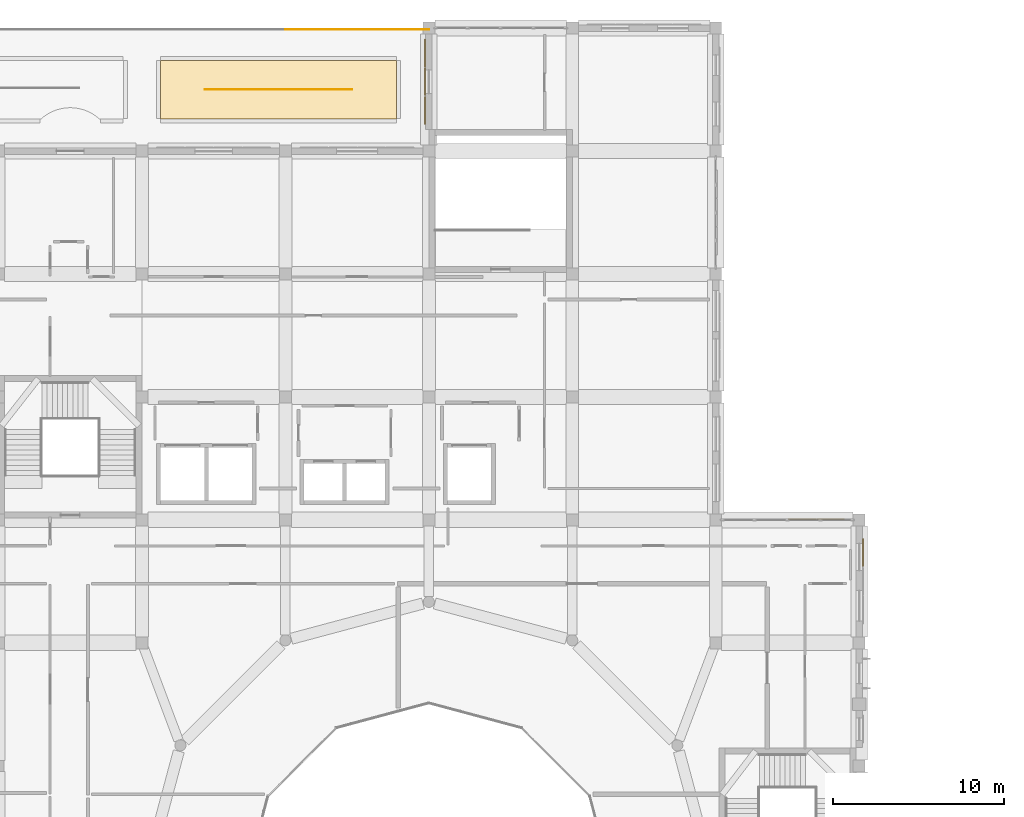
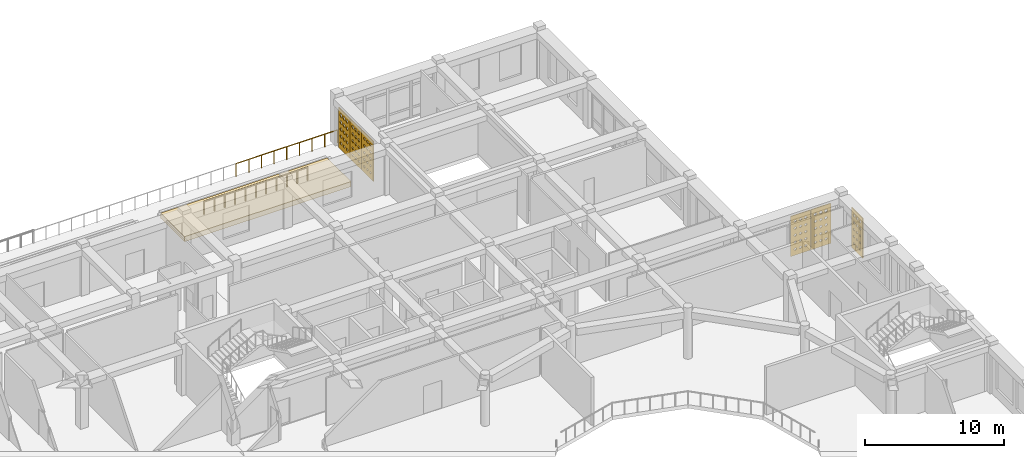
# One storey, part 76 of 79: 7 coverings, 2 railings.
"""IFC4 building model written with IfcOpenShell, lengths in metres."""

import ifcopenshell
import ifcopenshell.guid

model = None  # the IFC model being written
_history = None  # IfcOwnerHistory: only IFC2X3 demands one
_inside = {}  # id of a spatial element -> (the spatial element, [elements in it])
_under = {}  # id of a project, library or spatial element -> (it, [spatial elements below it])
_declared = {}  # id of a project -> (the project, [libraries it declares])
_typed = {}  # id of a type object -> (the type object, [elements of that type])
_made_of = {}  # id of a material, layer set ... -> (it, [elements and type objects made of it])


def new_model(schema):
    """Start an empty IFC model of exactly this schema.

    Asked for "IFC4X3", IfcOpenShell would pick the latest addendum, in which some entities
    have other attributes; the version numbers below select the first issue.
    IFC2X3 requires an IfcOwnerHistory on every rooted entity: one is made here for all.
    """
    global model, _history
    if schema == "IFC4X3":
        model = ifcopenshell.file(schema_version=(4, 3, 0, 0))
    else:
        model = ifcopenshell.file(schema=schema)
    _inside.clear()
    _under.clear()
    _declared.clear()
    _typed.clear()
    _made_of.clear()
    _history = None
    if model.schema == "IFC2X3":
        org = make("IfcOrganization", Name="unknown")
        user = make(
            "IfcPersonAndOrganization",
            ThePerson=make("IfcPerson", FamilyName="unknown"),
            TheOrganization=org,
        )
        app = make(
            "IfcApplication",
            ApplicationDeveloper=org,
            Version="unknown",
            ApplicationFullName="unknown",
            ApplicationIdentifier="unknown",
        )
        _history = make(
            "IfcOwnerHistory",
            OwningUser=user,
            OwningApplication=app,
            ChangeAction="ADDED",
            CreationDate=0,
        )
    return model


def make(cls, **values):
    """One entity of the class cls with the attributes given. An attribute that is None is left unset."""
    return model.create_entity(
        cls, **{name: value for name, value in values.items() if value is not None}
    )


def rooted(cls, **values):
    """An entity with a GlobalId (a new one), such as an element, a storey or a relation."""
    return make(cls, GlobalId=ifcopenshell.guid.new(), OwnerHistory=_history, **values)


def si_unit(unit_type, name, prefix=None):
    """IfcSIUnit, for example si_unit("LENGTHUNIT", "METRE", prefix="MILLI")."""
    return make("IfcSIUnit", UnitType=unit_type, Prefix=prefix, Name=name)


def derived_unit(unit_type, elements):
    """IfcDerivedUnit: a product of units, each with its exponent."""
    return make(
        "IfcDerivedUnit",
        Elements=[
            make("IfcDerivedUnitElement", Unit=unit, Exponent=power)
            for unit, power in elements
        ],
        UnitType=unit_type,
    )


def assignment(units):
    """IfcUnitAssignment: the units of a project."""
    return None if units is None else make("IfcUnitAssignment", Units=units)


def point(xyz):
    """IfcCartesianPoint."""
    return None if xyz is None else make("IfcCartesianPoint", Coordinates=xyz)


def direction(xyz):
    """IfcDirection."""
    return None if xyz is None else make("IfcDirection", DirectionRatios=xyz)


def frame(location, z_axis=None, x_axis=None):
    """IfcAxis2Placement3D, a coordinate frame: its origin and axes. An axis left out is left unset."""
    return make(
        "IfcAxis2Placement3D",
        Location=point(location),
        Axis=direction(z_axis),
        RefDirection=direction(x_axis),
    )


def frame_2d(location, x_axis=None):
    """IfcAxis2Placement2D, a coordinate frame in the plane: its origin and x axis."""
    return make(
        "IfcAxis2Placement2D", Location=point(location), RefDirection=direction(x_axis)
    )


def origin():
    """The frame at (0, 0, 0) with its axes left unset."""
    return frame((0.0, 0.0, 0.0))


def origin_2d():
    """The frame at (0, 0) in the plane with its x axis left unset."""
    return frame_2d((0.0, 0.0))


def place(relative_to, where):
    """IfcLocalPlacement: puts the frame where relative to a parent placement (None: the world)."""
    return make(
        "IfcLocalPlacement", PlacementRelTo=relative_to, RelativePlacement=where
    )


def context(
    kind, dimensions, precision=None, world=None, true_north=None, identifier=None
):
    """IfcGeometricRepresentationContext, for example the 3D "Model" context."""
    return make(
        "IfcGeometricRepresentationContext",
        ContextIdentifier=identifier,
        ContextType=kind,
        CoordinateSpaceDimension=dimensions,
        Precision=precision,
        WorldCoordinateSystem=world,
        TrueNorth=true_north,
    )


def subcontext(parent, identifier, kind, view, scale=None):
    """IfcGeometricRepresentationSubContext, for example "Body" below "Model"."""
    return make(
        "IfcGeometricRepresentationSubContext",
        ContextIdentifier=identifier,
        ContextType=kind,
        ParentContext=parent,
        TargetScale=scale,
        TargetView=view,
    )


def project(units=None, contexts=None):
    """IfcProject with its units and contexts."""
    return rooted(
        "IfcProject",
        Name="project",
        RepresentationContexts=contexts,
        UnitsInContext=assignment(units),
    )


def spatial(cls, under=None, at=None, **own):
    """A site, building, storey or space (cls), placed at a placement, below another one or the project."""
    s = rooted(cls, ObjectPlacement=at, **own)
    if under is not None:
        _under.setdefault(under.id(), (under, []))[1].append(s)
    return s


def polyline(points):
    """IfcPolyline through the points."""
    return make("IfcPolyline", Points=[point(p) for p in points])


def profile(cls, at=None, kind="AREA", **sizes):
    """A parametric profile (cls). Its sizes go by their IFC names, for example OverallWidth=200.0."""
    return make(cls, ProfileType=kind, Position=at, **sizes)


def circle(**sizes):
    """IfcCircleProfileDef."""
    return profile("IfcCircleProfileDef", **sizes)


def outline(outer, holes=None, kind="AREA"):
    """IfcArbitraryClosedProfileDef: a profile drawn as a closed curve; with holes, ...WithVoids."""
    if holes is None:
        return make("IfcArbitraryClosedProfileDef", ProfileType=kind, OuterCurve=outer)
    return make(
        "IfcArbitraryProfileDefWithVoids",
        ProfileType=kind,
        OuterCurve=outer,
        InnerCurves=holes,
    )


def extrude(swept, where, along, depth):
    """IfcExtrudedAreaSolid: the profile swept, set in the frame where, extruded along a direction by depth."""
    return make(
        "IfcExtrudedAreaSolid",
        SweptArea=swept,
        Position=where,
        ExtrudedDirection=direction(along),
        Depth=depth,
    )


def shape(context_of_items, identifier, shape_type, items):
    """IfcShapeRepresentation: the items that make up one representation, for example the "Body"."""
    return make(
        "IfcShapeRepresentation",
        ContextOfItems=context_of_items,
        RepresentationIdentifier=identifier,
        RepresentationType=shape_type,
        Items=items,
    )


def material(Name=None, Category=None):
    """IfcMaterial."""
    return make("IfcMaterial", Name=Name, Category=Category)


def layer(
    of_material, thickness, ventilated=None, Name=None, Category=None, Priority=None
):
    """IfcMaterialLayer: one layer of a wall or slab, of a material (None: an air gap)."""
    return make(
        "IfcMaterialLayer",
        Material=of_material,
        LayerThickness=thickness,
        IsVentilated=ventilated,
        Name=Name,
        Category=Category,
        Priority=Priority,
    )


def layer_set(layers, Name=None):
    """IfcMaterialLayerSet."""
    return make("IfcMaterialLayerSet", MaterialLayers=layers, LayerSetName=Name)


def made_of(thing, what):
    """Note that an element or type object is made of a material, layer set ...; save() writes the relation."""
    if what is not None:
        _made_of.setdefault(what.id(), (what, []))[1].append(thing)
    return thing


def type_object(cls, material=None, **own):
    """A type object (cls), such as IfcWallType, which elements share."""
    return made_of(rooted(cls, **own), material)


def element(
    cls,
    number,
    at=None,
    inside=None,
    cuts=None,
    type_object=None,
    material=None,
    context=None,
    identifier="Body",
    shape_type=None,
    held_by="IfcProductDefinitionShape",
    body=None,
    shapes=None,
    **own,
):
    """One element of the class cls, such as IfcWall. Its Tag is "e" and its number.

    at: its placement. inside: the storey or other place that contains it. cuts: it is an
    opening in that element (IfcRelVoidsElement). A single representation is given by context,
    identifier, shape_type and body (its items); several are given by shapes. held_by: the class
    of the entity that holds the representations. save() writes the other relations.
    """
    e = rooted(cls, Tag="e%d" % number, ObjectPlacement=at, **own)
    if body is not None:
        shapes = [shape(context, identifier, shape_type, body)]
    if shapes is not None:
        e.Representation = make(held_by, Representations=shapes)
    if inside is not None:
        _inside.setdefault(inside.id(), (inside, []))[1].append(e)
    if cuts is not None:
        rooted(
            "IfcRelVoidsElement", RelatingBuildingElement=cuts, RelatedOpeningElement=e
        )
    if type_object is not None:
        _typed.setdefault(type_object.id(), (type_object, []))[1].append(e)
    return made_of(e, material)


def aggregate(whole, parts):
    """IfcRelAggregates: a whole, such as a stair, and the parts it consists of."""
    return rooted("IfcRelAggregates", RelatingObject=whole, RelatedObjects=parts)


def save(model, path):
    """Write the relations noted so far, then the file.

    IfcRelAggregates (storeys below a building ...), IfcRelContainedInSpatialStructure (elements
    in a storey), IfcRelDefinesByType, IfcRelAssociatesMaterial and IfcRelDeclares: one each for
    every whole, place, type object, material and project.
    """
    for whole, parts in _under.values():
        aggregate(whole, parts)
    for where, things in _inside.values():
        rooted(
            "IfcRelContainedInSpatialStructure",
            RelatedElements=things,
            RelatingStructure=where,
        )
    for kind, things in _typed.values():
        rooted("IfcRelDefinesByType", RelatedObjects=things, RelatingType=kind)
    for what, things in _made_of.values():
        rooted("IfcRelAssociatesMaterial", RelatedObjects=things, RelatingMaterial=what)
    for by, libraries in _declared.values():
        rooted("IfcRelDeclares", RelatingContext=by, RelatedDefinitions=libraries)
    model.write(path)


model = new_model("IFC4")

# Units and contexts
model_context = context("Model", 3, precision=1e-05, world=origin(), true_north=direction((0.0, 1.0)))
body_context = subcontext(model_context, "Body", "Model", "MODEL_VIEW")
ifc_project = project(units=[si_unit("LENGTHUNIT", "METRE"), si_unit("AREAUNIT", "SQUARE_METRE"), si_unit("VOLUMEUNIT", "CUBIC_METRE"), si_unit("PLANEANGLEUNIT", "RADIAN"), si_unit("MASSUNIT", "GRAM", prefix="KILO"), derived_unit("THERMALTRANSMITTANCEUNIT", [(si_unit("POWERUNIT", "WATT"), 1), (si_unit("LENGTHUNIT", "METRE"), -2), (si_unit("THERMODYNAMICTEMPERATUREUNIT", "KELVIN"), -1)])], contexts=[model_context])

# Site, building, storey
site_placement = place(None, origin())
site = spatial("IfcSite", under=ifc_project, at=site_placement, CompositionType="ELEMENT")
building_placement = place(site_placement, origin())
building = spatial("IfcBuilding", under=site, at=building_placement, Name="Veybourne Emporium", CompositionType="ELEMENT")
storey_placement = place(building_placement, frame((0.0, 0.0, 18.89990234375)))
storey = spatial("IfcBuildingStorey", under=building, at=storey_placement, Name="L04", CompositionType="ELEMENT", Elevation=18.89990234375)

# Railings
ifc_material_1 = material(Name="Patinated Architectural Bronze", Category="bronze")
railing_type = type_object("IfcRailingType", Name="Guard_GR-02", PredefinedType="GUARDRAIL", material=ifc_material_1)
railing_1_placement = place(storey_placement, frame((67.199951171875, 100.719970703125, 0.0)))
element("IfcRailing", 1, at=railing_1_placement, inside=storey, type_object=railing_type, Name="L04 terrace perimeter guardrail 005", PredefinedType="GUARDRAIL", context=body_context, shape_type="SweptSolid", body=[
    extrude(circle(Radius=0.02392578125, at=origin_2d()), frame((0.0, 0.0, 1.1259765625), z_axis=(1.0, 0.0, 0.0), x_axis=(0.0, 1.0, 0.0)), (0.0, 0.0, 1.0), 8.400146484375),
    extrude(circle(Radius=0.02099609375, at=origin_2d()), origin(), (0.0, 0.0, 1.0), 1.101806640625),
    extrude(circle(Radius=0.02099609375, at=origin_2d()), frame((1.050048828125, 0.0, 0.0)), (0.0, 0.0, 1.0), 1.101806640625),
    extrude(circle(Radius=0.02099609375, at=origin_2d()), frame((2.10009765625, 0.0, 0.0)), (0.0, 0.0, 1.0), 1.101806640625),
    extrude(circle(Radius=0.02099609375, at=origin_2d()), frame((3.150146484375, 0.0, 0.0)), (0.0, 0.0, 1.0), 1.101806640625),
    extrude(circle(Radius=0.02099609375, at=origin_2d()), frame((4.2001953125, 0.0, 0.0)), (0.0, 0.0, 1.0), 1.101806640625),
    extrude(circle(Radius=0.02099609375, at=origin_2d()), frame((5.25, 0.0, 0.0)), (0.0, 0.0, 1.0), 1.101806640625),
    extrude(circle(Radius=0.02099609375, at=origin_2d()), frame((6.300048828125, 0.0, 0.0)), (0.0, 0.0, 1.0), 1.101806640625),
    extrude(circle(Radius=0.02099609375, at=origin_2d()), frame((7.35009765625, 0.0, 0.0)), (0.0, 0.0, 1.0), 1.101806640625),
    extrude(circle(Radius=0.02099609375, at=origin_2d()), frame((8.400146484375, 0.0, 0.0)), (0.0, 0.0, 1.0), 1.101806640625),
])
railing_2_placement = place(storey_placement, frame((62.510009765625, 97.199951171875, 0.440185546875)))
element("IfcRailing", 2, at=railing_2_placement, inside=storey, type_object=railing_type, Name="L04 bronze roof-garden trellis balustrade 1.1", PredefinedType="GUARDRAIL", context=body_context, shape_type="SweptSolid", body=[
    extrude(circle(Radius=0.02392578125, at=origin_2d()), frame((0.0, 0.0, 1.1259765625), z_axis=(1.0, 0.0, 0.0), x_axis=(0.0, 1.0, 0.0)), (0.0, 0.0, 1.0), 8.580078125),
    extrude(circle(Radius=0.02099609375, at=origin_2d()), origin(), (0.0, 0.0, 1.0), 1.101806640625),
    extrude(circle(Radius=0.02099609375, at=origin_2d()), frame((0.85791015625, 0.0, 0.0)), (0.0, 0.0, 1.0), 1.101806640625),
    extrude(circle(Radius=0.02099609375, at=origin_2d()), frame((1.716064453125, 0.0, 0.0)), (0.0, 0.0, 1.0), 1.101806640625),
    extrude(circle(Radius=0.02099609375, at=origin_2d()), frame((2.573974609375, 0.0, 0.0)), (0.0, 0.0, 1.0), 1.101806640625),
    extrude(circle(Radius=0.02099609375, at=origin_2d()), frame((3.43212890625, 0.0, 0.0)), (0.0, 0.0, 1.0), 1.101806640625),
    extrude(circle(Radius=0.02099609375, at=origin_2d()), frame((4.2900390625, 0.0, 0.0)), (0.0, 0.0, 1.0), 1.101806640625),
    extrude(circle(Radius=0.02099609375, at=origin_2d()), frame((5.14794921875, 0.0, 0.0)), (0.0, 0.0, 1.0), 1.101806640625),
    extrude(circle(Radius=0.02099609375, at=origin_2d()), frame((6.006103515625, 0.0, 0.0)), (0.0, 0.0, 1.0), 1.101806640625),
    extrude(circle(Radius=0.02099609375, at=origin_2d()), frame((6.864013671875, 0.0, 0.0)), (0.0, 0.0, 1.0), 1.101806640625),
    extrude(circle(Radius=0.02099609375, at=origin_2d()), frame((7.72216796875, 0.0, 0.0)), (0.0, 0.0, 1.0), 1.101806640625),
    extrude(circle(Radius=0.02099609375, at=origin_2d()), frame((8.580078125, 0.0, 0.0)), (0.0, 0.0, 1.0), 1.101806640625),
])

# Coverings
ifc_material_2 = material(Name="Intensive Green Roof Build-up", Category="membrane")
ifc_layer_1 = layer(ifc_material_2, 0.43994140625)
ifc_layer_set_1 = layer_set([ifc_layer_1], Name="Intensive Green Roof Build-up")
covering_type_1 = type_object("IfcCoveringType", Name="Roofing_RFG-02", PredefinedType="ROOFING", material=ifc_layer_set_1)
covering_1_placement = place(storey_placement, origin())
element("IfcCovering", 3, at=covering_1_placement, inside=storey, type_object=covering_type_1, Name="L04 intensive planted garden bed 1.1", PredefinedType="ROOFING", context=body_context, shape_type="SweptSolid", body=[
    extrude(outline(polyline([(73.7099609375, 95.489990234375), (59.889892578125, 95.489990234375), (59.889892578125, 98.909912109375), (73.7099609375, 98.909912109375), (73.7099609375, 95.489990234375)])), origin(), (0.0, 0.0, 1.0), 0.440185546875),
])
ifc_material_3 = material(Name="Warm-White Perforated Aluminium Screen Alloy", Category="aluminium")
ifc_layer_2 = layer(ifc_material_3, 0.06005859375)
ifc_layer_set_2 = layer_set([ifc_layer_2], Name="Warm-White Perforated Aluminium Screen Alloy")
covering_type_2 = type_object("IfcCoveringType", Name="WaveScreen_SCR-02", PredefinedType="CLADDING", material=ifc_layer_set_2)
covering_2_placement = place(storey_placement, frame((75.35205078125, 95.97998046875, 1.815185546875), z_axis=(1.0, 0.0, 0.0), x_axis=(0.0, 1.0, 0.0)))
element("IfcCovering", 4, at=covering_2_placement, inside=storey, type_object=covering_type_2, Name="L04 wave-perforated aluminium screen SCR-02 (40T.1)", PredefinedType="CLADDING", context=body_context, shape_type="SweptSolid", body=[
    extrude(outline(polyline([(-0.81982421875, -1.7548828125), (0.81982421875, -1.7548828125), (0.81982421875, 1.7548828125), (-0.81982421875, 1.7548828125), (-0.81982421875, -1.7548828125)]), holes=[polyline([(-0.433349609375, -1.11767578125), (-0.3330078125, -1.188232421875), (-0.3330078125, -1.267578125), (-0.433349609375, -1.33837890625), (-0.53369140625, -1.267578125), (-0.53369140625, -1.188232421875), (-0.433349609375, -1.11767578125)]), polyline([(-0.433349609375, -0.501220703125), (-0.330810546875, -0.5732421875), (-0.330810546875, -0.65478515625), (-0.433349609375, -0.726806640625), (-0.53564453125, -0.65478515625), (-0.53564453125, -0.5732421875), (-0.433349609375, -0.501220703125)]), polyline([(-0.433349609375, 0.117919921875), (-0.326904296875, 0.04248046875), (-0.326904296875, -0.04248046875), (-0.433349609375, -0.117919921875), (-0.539794921875, -0.04248046875), (-0.539794921875, 0.04248046875), (-0.433349609375, 0.117919921875)]), polyline([(-0.433349609375, 0.739013671875), (-0.321044921875, 0.658935546875), (-0.321044921875, 0.569091796875), (-0.433349609375, 0.489013671875), (-0.54541015625, 0.569091796875), (-0.54541015625, 0.658935546875), (-0.433349609375, 0.739013671875)]), polyline([(-0.433349609375, 1.362060546875), (-0.313720703125, 1.276123046875), (-0.313720703125, 1.1796875), (-0.433349609375, 1.093994140625), (-0.552978515625, 1.1796875), (-0.552978515625, 1.276123046875), (-0.433349609375, 1.362060546875)]), polyline([(0.0, -1.11669921875), (0.10107421875, -1.18798828125), (0.10107421875, -1.26806640625), (0.0, -1.339111328125), (-0.10107421875, -1.26806640625), (-0.10107421875, -1.18798828125), (0.0, -1.11669921875)]), polyline([(0.0, -0.4990234375), (0.10400390625, -0.572509765625), (0.10400390625, -0.655517578125), (0.0, -0.72900390625), (-0.10400390625, -0.655517578125), (-0.10400390625, -0.572509765625), (0.0, -0.4990234375)]), polyline([(0.0, 0.120849609375), (0.10888671875, 0.04345703125), (0.10888671875, -0.04345703125), (0.0, -0.120849609375), (-0.10888671875, -0.04345703125), (-0.10888671875, 0.04345703125), (0.0, 0.120849609375)]), polyline([(0.0, 0.742919921875), (0.115478515625, 0.660400390625), (0.115478515625, 0.567626953125), (0.0, 0.485107421875), (-0.115478515625, 0.567626953125), (-0.115478515625, 0.660400390625), (0.0, 0.742919921875)]), polyline([(0.0, 1.36669921875), (0.12353515625, 1.27783203125), (0.12353515625, 1.177978515625), (0.0, 1.08935546875), (-0.12353515625, 1.177978515625), (-0.12353515625, 1.27783203125), (0.0, 1.36669921875)]), polyline([(0.433349609375, -1.115478515625), (0.535400390625, -1.1875), (0.535400390625, -1.2685546875), (0.433349609375, -1.340576171875), (0.331298828125, -1.2685546875), (0.331298828125, -1.1875), (0.433349609375, -1.115478515625)]), polyline([(0.433349609375, -0.49658203125), (0.539306640625, -0.57177734375), (0.539306640625, -0.65625), (0.433349609375, -0.731201171875), (0.327392578125, -0.65625), (0.327392578125, -0.57177734375), (0.433349609375, -0.49658203125)]), polyline([(0.433349609375, 0.124267578125), (0.544921875, 0.044677734375), (0.544921875, -0.044677734375), (0.433349609375, -0.124267578125), (0.32177734375, -0.044677734375), (0.32177734375, 0.044677734375), (0.433349609375, 0.124267578125)]), polyline([(0.433349609375, 0.7470703125), (0.55224609375, 0.661865234375), (0.55224609375, 0.566162109375), (0.433349609375, 0.48095703125), (0.314453125, 0.566162109375), (0.314453125, 0.661865234375), (0.433349609375, 0.7470703125)]), polyline([(0.433349609375, 1.371826171875), (0.56103515625, 1.27978515625), (0.56103515625, 1.17626953125), (0.433349609375, 1.084228515625), (0.3056640625, 1.17626953125), (0.3056640625, 1.27978515625), (0.433349609375, 1.371826171875)])]), origin(), (0.0, 0.0, 1.0), 0.06005859375),
])
covering_3_placement = place(storey_placement, frame((97.43994140625, 72.093017578125, 1.815185546875), z_axis=(0.0, -1.0, 0.0), x_axis=(1.0, 0.0, 0.0)))
element("IfcCovering", 5, at=covering_3_placement, inside=storey, type_object=covering_type_2, Name="L04 wave-perforated aluminium screen SCR-02 (54C.3)", PredefinedType="CLADDING", context=body_context, shape_type="SweptSolid", body=[
    extrude(outline(polyline([(-0.81982421875, -1.7548828125), (0.81982421875, -1.7548828125), (0.81982421875, 1.7548828125), (-0.81982421875, 1.7548828125), (-0.81982421875, -1.7548828125)]), holes=[polyline([(-0.433349609375, -1.115478515625), (-0.331298828125, -1.1875), (-0.331298828125, -1.268310546875), (-0.433349609375, -1.34033203125), (-0.535400390625, -1.268310546875), (-0.535400390625, -1.1875), (-0.433349609375, -1.115478515625)]), polyline([(-0.433349609375, -0.50390625), (-0.333251953125, -0.57421875), (-0.333251953125, -0.65380859375), (-0.433349609375, -0.72412109375), (-0.533447265625, -0.65380859375), (-0.533447265625, -0.57421875), (-0.433349609375, -0.50390625)]), polyline([(-0.433349609375, 0.1103515625), (-0.3330078125, 0.039794921875), (-0.3330078125, -0.039794921875), (-0.433349609375, -0.1103515625), (-0.53369140625, -0.039794921875), (-0.53369140625, 0.039794921875), (-0.433349609375, 0.1103515625)]), polyline([(-0.433349609375, 0.72705078125), (-0.330810546875, 0.65478515625), (-0.330810546875, 0.5732421875), (-0.433349609375, 0.5009765625), (-0.535888671875, 0.5732421875), (-0.535888671875, 0.65478515625), (-0.433349609375, 0.72705078125)]), polyline([(-0.433349609375, 1.34619140625), (-0.32666015625, 1.2705078125), (-0.32666015625, 1.185546875), (-0.433349609375, 1.10986328125), (-0.5400390625, 1.185546875), (-0.5400390625, 1.2705078125), (-0.433349609375, 1.34619140625)]), polyline([(0.0, -1.116943359375), (0.100830078125, -1.18798828125), (0.100830078125, -1.26806640625), (0.0, -1.339111328125), (-0.100830078125, -1.26806640625), (-0.100830078125, -1.18798828125), (0.0, -1.116943359375)]), polyline([(0.0, -0.50390625), (0.10009765625, -0.574462890625), (0.10009765625, -0.653564453125), (0.0, -0.72412109375), (-0.10009765625, -0.653564453125), (-0.10009765625, -0.574462890625), (0.0, -0.50390625)]), polyline([(0.0, 0.111328125), (0.10107421875, 0.0400390625), (0.10107421875, -0.0400390625), (0.0, -0.111328125), (-0.10107421875, -0.0400390625), (-0.10107421875, 0.0400390625), (0.0, 0.111328125)]), polyline([(0.0, 0.72900390625), (0.104248046875, 0.655517578125), (0.104248046875, 0.572509765625), (0.0, 0.498779296875), (-0.104248046875, 0.572509765625), (-0.104248046875, 0.655517578125), (0.0, 0.72900390625)]), polyline([(0.0, 1.34912109375), (0.109130859375, 1.271484375), (0.109130859375, 1.184326171875), (0.0, 1.106689453125), (-0.109130859375, 1.184326171875), (-0.109130859375, 1.271484375), (0.0, 1.34912109375)]), polyline([(0.433349609375, -1.11767578125), (0.53369140625, -1.188232421875), (0.53369140625, -1.267578125), (0.433349609375, -1.33837890625), (0.3330078125, -1.267578125), (0.3330078125, -1.188232421875), (0.433349609375, -1.11767578125)]), polyline([(0.433349609375, -0.503662109375), (0.53369140625, -0.57421875), (0.53369140625, -0.65380859375), (0.433349609375, -0.724365234375), (0.3330078125, -0.65380859375), (0.3330078125, -0.57421875), (0.433349609375, -0.503662109375)]), polyline([(0.433349609375, 0.11279296875), (0.53564453125, 0.04052734375), (0.53564453125, -0.04052734375), (0.433349609375, -0.11279296875), (0.3310546875, -0.04052734375), (0.3310546875, 0.04052734375), (0.433349609375, 0.11279296875)]), polyline([(0.433349609375, 0.731689453125), (0.53955078125, 0.65625), (0.53955078125, 0.57177734375), (0.433349609375, 0.496337890625), (0.3271484375, 0.57177734375), (0.3271484375, 0.65625), (0.433349609375, 0.731689453125)]), polyline([(0.433349609375, 1.3525390625), (0.54541015625, 1.27294921875), (0.54541015625, 1.18310546875), (0.433349609375, 1.103515625), (0.3212890625, 1.18310546875), (0.3212890625, 1.27294921875), (0.433349609375, 1.3525390625)])]), origin(), (0.0, 0.0, 1.0), 0.06005859375),
])
ifc_layer_3 = layer(ifc_material_3, 0.06005859375)
ifc_layer_set_3 = layer_set([ifc_layer_3], Name="Warm-White Perforated Aluminium Screen Alloy")
covering_type_3 = type_object("IfcCoveringType", Name="WaveScreen_SCR-03", PredefinedType="CLADDING", material=ifc_layer_set_3)
covering_4_placement = place(storey_placement, frame((75.35205078125, 97.659912109375, 1.815185546875), z_axis=(1.0, 0.0, 0.0), x_axis=(0.0, 1.0, 0.0)))
element("IfcCovering", 6, at=covering_4_placement, inside=storey, type_object=covering_type_3, Name="L04 wave-perforated aluminium screen SCR-03 (40T.2)", PredefinedType="CLADDING", context=body_context, shape_type="SweptSolid", body=[
    extrude(outline(polyline([(-0.81982421875, -1.7548828125), (0.81982421875, -1.7548828125), (0.81982421875, 1.7548828125), (-0.81982421875, 1.7548828125), (-0.81982421875, -1.7548828125)]), holes=[polyline([(-0.433349609375, -1.111572265625), (-0.328125, -1.18603515625), (-0.328125, -1.27001953125), (-0.433349609375, -1.344482421875), (-0.53857421875, -1.27001953125), (-0.53857421875, -1.18603515625), (-0.433349609375, -1.111572265625)]), polyline([(-0.433349609375, -0.490966796875), (-0.32275390625, -0.569580078125), (-0.32275390625, -0.658203125), (-0.433349609375, -0.737060546875), (-0.5439453125, -0.658203125), (-0.5439453125, -0.569580078125), (-0.433349609375, -0.490966796875)]), polyline([(-0.433349609375, 0.131591796875), (-0.315673828125, 0.04736328125), (-0.315673828125, -0.04736328125), (-0.433349609375, -0.131591796875), (-0.551025390625, -0.04736328125), (-0.551025390625, 0.04736328125), (-0.433349609375, 0.131591796875)]), polyline([(-0.433349609375, 0.756103515625), (-0.30712890625, 0.665283203125), (-0.30712890625, 0.562744140625), (-0.433349609375, 0.471923828125), (-0.5595703125, 0.562744140625), (-0.5595703125, 0.665283203125), (-0.433349609375, 0.756103515625)]), polyline([(-0.433349609375, 1.382080078125), (-0.29736328125, 1.283447265625), (-0.29736328125, 1.172607421875), (-0.433349609375, 1.073974609375), (-0.5693359375, 1.172607421875), (-0.5693359375, 1.283447265625), (-0.433349609375, 1.382080078125)]), polyline([(0.0, -1.10888671875), (0.107421875, -1.18505859375), (0.107421875, -1.27099609375), (0.0, -1.34716796875), (-0.107421875, -1.27099609375), (-0.107421875, -1.18505859375), (0.0, -1.10888671875)]), polyline([(0.0, -0.4873046875), (0.11376953125, -0.568359375), (0.11376953125, -0.65966796875), (0.0, -0.74072265625), (-0.11376953125, -0.65966796875), (-0.11376953125, -0.568359375), (0.0, -0.4873046875)]), polyline([(0.0, 0.13623046875), (0.121337890625, 0.049072265625), (0.121337890625, -0.049072265625), (0.0, -0.13623046875), (-0.121337890625, -0.049072265625), (-0.121337890625, 0.049072265625), (0.0, 0.13623046875)]), polyline([(0.0, 0.76123046875), (0.130615234375, 0.6669921875), (0.130615234375, 0.56103515625), (0.0, 0.466796875), (-0.130615234375, 0.56103515625), (-0.130615234375, 0.6669921875), (0.0, 0.76123046875)]), polyline([(0.0, 1.3876953125), (0.140625, 1.285400390625), (0.140625, 1.17041015625), (0.0, 1.068115234375), (-0.140625, 1.17041015625), (-0.140625, 1.285400390625), (0.0, 1.3876953125)]), polyline([(0.433349609375, -1.105712890625), (0.54345703125, -1.18408203125), (0.54345703125, -1.27197265625), (0.433349609375, -1.350341796875), (0.3232421875, -1.27197265625), (0.3232421875, -1.18408203125), (0.433349609375, -1.105712890625)]), polyline([(0.433349609375, -0.483154296875), (0.55029296875, -0.56689453125), (0.55029296875, -0.6611328125), (0.433349609375, -0.744873046875), (0.31640625, -0.6611328125), (0.31640625, -0.56689453125), (0.433349609375, -0.483154296875)]), polyline([(0.433349609375, 0.14111328125), (0.55859375, 0.05078125), (0.55859375, -0.05078125), (0.433349609375, -0.14111328125), (0.307861328125, -0.05078125), (0.307861328125, 0.05078125), (0.433349609375, 0.14111328125)]), polyline([(0.433349609375, 0.766845703125), (0.568359375, 0.6689453125), (0.568359375, 0.55908203125), (0.433349609375, 0.461181640625), (0.29833984375, 0.55908203125), (0.29833984375, 0.6689453125), (0.433349609375, 0.766845703125)]), polyline([(0.433349609375, 1.393798828125), (0.5791015625, 1.28759765625), (0.5791015625, 1.168212890625), (0.433349609375, 1.062255859375), (0.28759765625, 1.168212890625), (0.28759765625, 1.28759765625), (0.433349609375, 1.393798828125)])]), origin(), (0.0, 0.0, 1.0), 0.06005859375),
])
covering_5_placement = place(storey_placement, frame((101.048095703125, 70.080078125, 1.815185546875), z_axis=(-1.0, 0.0, 0.0), x_axis=(0.0, -1.0, 0.0)))
element("IfcCovering", 7, at=covering_5_placement, inside=storey, type_object=covering_type_3, Name="L04 wave-perforated aluminium screen SCR-03 (53.1)", PredefinedType="CLADDING", context=body_context, shape_type="SweptSolid", body=[
    extrude(outline(polyline([(-0.81982421875, -1.7548828125), (0.81982421875, -1.7548828125), (0.81982421875, 1.7548828125), (-0.81982421875, 1.7548828125), (-0.81982421875, -1.7548828125)]), holes=[polyline([(-0.433349609375, -1.1162109375), (-0.331787109375, -1.187744140625), (-0.331787109375, -1.268310546875), (-0.433349609375, -1.339599609375), (-0.53466796875, -1.268310546875), (-0.53466796875, -1.187744140625), (-0.433349609375, -1.1162109375)]), polyline([(-0.433349609375, -0.498291015625), (-0.32861328125, -0.572265625), (-0.32861328125, -0.65576171875), (-0.433349609375, -0.729736328125), (-0.5380859375, -0.65576171875), (-0.5380859375, -0.572265625), (-0.433349609375, -0.498291015625)]), polyline([(-0.433349609375, 0.1220703125), (-0.323486328125, 0.0439453125), (-0.323486328125, -0.0439453125), (-0.433349609375, -0.1220703125), (-0.543212890625, -0.0439453125), (-0.543212890625, 0.0439453125), (-0.433349609375, 0.1220703125)]), polyline([(-0.433349609375, 0.744384765625), (-0.316650390625, 0.660888671875), (-0.316650390625, 0.56689453125), (-0.433349609375, 0.483642578125), (-0.550048828125, 0.56689453125), (-0.550048828125, 0.660888671875), (-0.433349609375, 0.744384765625)]), polyline([(-0.433349609375, 1.36865234375), (-0.30810546875, 1.278564453125), (-0.30810546875, 1.177490234375), (-0.433349609375, 1.08740234375), (-0.558349609375, 1.177490234375), (-0.558349609375, 1.278564453125), (-0.433349609375, 1.36865234375)]), polyline([(0.0, -1.1171875), (0.1005859375, -1.188232421875), (0.1005859375, -1.267822265625), (0.0, -1.338623046875), (-0.1005859375, -1.267822265625), (-0.1005859375, -1.188232421875), (0.0, -1.1171875)]), polyline([(0.0, -0.50048828125), (0.10302734375, -0.572998046875), (0.10302734375, -0.65478515625), (0.0, -0.7275390625), (-0.10302734375, -0.65478515625), (-0.10302734375, -0.572998046875), (0.0, -0.50048828125)]), polyline([(0.0, 0.118896484375), (0.107421875, 0.042724609375), (0.107421875, -0.042724609375), (0.0, -0.118896484375), (-0.107421875, -0.042724609375), (-0.107421875, 0.042724609375), (0.0, 0.118896484375)]), polyline([(0.0, 0.740478515625), (0.11328125, 0.659423828125), (0.11328125, 0.568603515625), (0.0, 0.487548828125), (-0.11328125, 0.568603515625), (-0.11328125, 0.659423828125), (0.0, 0.740478515625)]), polyline([(0.0, 1.36376953125), (0.12109375, 1.27685546875), (0.12109375, 1.17919921875), (0.0, 1.09228515625), (-0.12109375, 1.17919921875), (-0.12109375, 1.27685546875), (0.0, 1.36376953125)]), polyline([(0.433349609375, -1.117919921875), (0.533447265625, -1.1884765625), (0.533447265625, -1.267578125), (0.433349609375, -1.338134765625), (0.333251953125, -1.267578125), (0.333251953125, -1.1884765625), (0.433349609375, -1.117919921875)]), polyline([(0.433349609375, -0.501953125), (0.534912109375, -0.57373046875), (0.534912109375, -0.654296875), (0.433349609375, -0.72607421875), (0.331787109375, -0.654296875), (0.331787109375, -0.57373046875), (0.433349609375, -0.501953125)]), polyline([(0.433349609375, 0.1162109375), (0.538330078125, 0.041748046875), (0.538330078125, -0.041748046875), (0.433349609375, -0.1162109375), (0.328125, -0.041748046875), (0.328125, 0.041748046875), (0.433349609375, 0.1162109375)]), polyline([(0.433349609375, 0.73681640625), (0.543701171875, 0.658203125), (0.543701171875, 0.56982421875), (0.433349609375, 0.4912109375), (0.322998046875, 0.56982421875), (0.322998046875, 0.658203125), (0.433349609375, 0.73681640625)]), polyline([(0.433349609375, 1.359375), (0.55078125, 1.275390625), (0.55078125, 1.1806640625), (0.433349609375, 1.0966796875), (0.31591796875, 1.1806640625), (0.31591796875, 1.275390625), (0.433349609375, 1.359375)])]), origin(), (0.0, 0.0, 1.0), 0.06005859375),
])
covering_6_placement = place(storey_placement, frame((99.1201171875, 72.093017578125, 1.815185546875), z_axis=(0.0, -1.0, 0.0), x_axis=(1.0, 0.0, 0.0)))
element("IfcCovering", 8, at=covering_6_placement, inside=storey, type_object=covering_type_3, Name="L04 wave-perforated aluminium screen SCR-03 (54C.4)", PredefinedType="CLADDING", context=body_context, shape_type="SweptSolid", body=[
    extrude(outline(polyline([(-0.81982421875, -1.7548828125), (0.81982421875, -1.7548828125), (0.81982421875, 1.7548828125), (-0.81982421875, 1.7548828125), (-0.81982421875, -1.7548828125)]), holes=[polyline([(-0.433349609375, -1.117919921875), (-0.333251953125, -1.188232421875), (-0.333251953125, -1.267578125), (-0.433349609375, -1.338134765625), (-0.533447265625, -1.267578125), (-0.533447265625, -1.188232421875), (-0.433349609375, -1.117919921875)]), polyline([(-0.433349609375, -0.501708984375), (-0.33154296875, -0.573486328125), (-0.33154296875, -0.654296875), (-0.433349609375, -0.726318359375), (-0.53515625, -0.654296875), (-0.53515625, -0.573486328125), (-0.433349609375, -0.501708984375)]), polyline([(-0.433349609375, 0.11669921875), (-0.327880859375, 0.0419921875), (-0.327880859375, -0.0419921875), (-0.433349609375, -0.11669921875), (-0.538818359375, -0.0419921875), (-0.538818359375, 0.0419921875), (-0.433349609375, 0.11669921875)]), polyline([(-0.433349609375, 0.7373046875), (-0.322265625, 0.658447265625), (-0.322265625, 0.569580078125), (-0.433349609375, 0.490478515625), (-0.544189453125, 0.569580078125), (-0.544189453125, 0.658447265625), (-0.433349609375, 0.7373046875)]), polyline([(-0.433349609375, 1.360107421875), (-0.315185546875, 1.275634765625), (-0.315185546875, 1.180419921875), (-0.433349609375, 1.095703125), (-0.551513671875, 1.180419921875), (-0.551513671875, 1.275634765625), (-0.433349609375, 1.360107421875)]), polyline([(0.0, -1.1171875), (0.1005859375, -1.18798828125), (0.1005859375, -1.267822265625), (0.0, -1.3388671875), (-0.1005859375, -1.267822265625), (-0.1005859375, -1.18798828125), (0.0, -1.1171875)]), polyline([(0.0, -0.5), (0.103271484375, -0.572998046875), (0.103271484375, -0.655029296875), (0.0, -0.72802734375), (-0.103271484375, -0.655029296875), (-0.103271484375, -0.572998046875), (0.0, -0.5)]), polyline([(0.0, 0.119384765625), (0.10791015625, 0.04296875), (0.10791015625, -0.04296875), (0.0, -0.119384765625), (-0.10791015625, -0.04296875), (-0.10791015625, 0.04296875), (0.0, 0.119384765625)]), polyline([(0.0, 0.7412109375), (0.114013671875, 0.659912109375), (0.114013671875, 0.568115234375), (0.0, 0.48681640625), (-0.114013671875, 0.568115234375), (-0.114013671875, 0.659912109375), (0.0, 0.7412109375)]), polyline([(0.0, 1.36474609375), (0.121826171875, 1.277099609375), (0.121826171875, 1.1787109375), (0.0, 1.09130859375), (-0.121826171875, 1.1787109375), (-0.121826171875, 1.277099609375), (0.0, 1.36474609375)]), polyline([(0.433349609375, -1.115966796875), (0.534912109375, -1.187744140625), (0.534912109375, -1.268310546875), (0.433349609375, -1.340087890625), (0.331787109375, -1.268310546875), (0.331787109375, -1.187744140625), (0.433349609375, -1.115966796875)]), polyline([(0.433349609375, -0.497802734375), (0.538330078125, -0.572265625), (0.538330078125, -0.65576171875), (0.433349609375, -0.730224609375), (0.328125, -0.65576171875), (0.328125, -0.572265625), (0.433349609375, -0.497802734375)]), polyline([(0.433349609375, 0.122802734375), (0.543701171875, 0.044189453125), (0.543701171875, -0.044189453125), (0.433349609375, -0.122802734375), (0.322998046875, -0.044189453125), (0.322998046875, 0.044189453125), (0.433349609375, 0.122802734375)]), polyline([(0.433349609375, 0.745361328125), (0.55078125, 0.661376953125), (0.55078125, 0.566650390625), (0.433349609375, 0.482666015625), (0.31591796875, 0.566650390625), (0.31591796875, 0.661376953125), (0.433349609375, 0.745361328125)]), polyline([(0.433349609375, 1.36962890625), (0.55908203125, 1.279052734375), (0.55908203125, 1.177001953125), (0.433349609375, 1.08642578125), (0.307373046875, 1.177001953125), (0.307373046875, 1.279052734375), (0.433349609375, 1.36962890625)])]), origin(), (0.0, 0.0, 1.0), 0.06005859375),
])
ifc_layer_4 = layer(ifc_material_3, 0.06005859375)
ifc_layer_set_4 = layer_set([ifc_layer_4], Name="Warm-White Perforated Aluminium Screen Alloy")
covering_type_4 = type_object("IfcCoveringType", Name="WaveScreen_SCR-04", PredefinedType="CLADDING", material=ifc_layer_set_4)
covering_7_placement = place(storey_placement, frame((75.35205078125, 99.340087890625, 1.815185546875), z_axis=(1.0, 0.0, 0.0), x_axis=(0.0, 1.0, 0.0)))
element("IfcCovering", 9, at=covering_7_placement, inside=storey, type_object=covering_type_4, Name="L04 wave-perforated aluminium screen SCR-04 (40T.3)", PredefinedType="CLADDING", context=body_context, shape_type="SweptSolid", body=[
    extrude(outline(polyline([(-0.81982421875, -1.7548828125), (0.81982421875, -1.7548828125), (0.81982421875, 1.7548828125), (-0.81982421875, 1.7548828125), (-0.81982421875, -1.7548828125)]), holes=[polyline([(-0.433349609375, -1.0986328125), (-0.3173828125, -1.181396484375), (-0.3173828125, -1.274658203125), (-0.433349609375, -1.357421875), (-0.54931640625, -1.274658203125), (-0.54931640625, -1.181396484375), (-0.433349609375, -1.0986328125)]), polyline([(-0.433349609375, -0.474609375), (-0.309326171875, -0.563720703125), (-0.309326171875, -0.664306640625), (-0.433349609375, -0.75341796875), (-0.557373046875, -0.664306640625), (-0.557373046875, -0.563720703125), (-0.433349609375, -0.474609375)]), polyline([(-0.433349609375, 0.15087890625), (-0.2998046875, 0.054443359375), (-0.2998046875, -0.054443359375), (-0.433349609375, -0.15087890625), (-0.56689453125, -0.054443359375), (-0.56689453125, 0.054443359375), (-0.433349609375, 0.15087890625)]), polyline([(-0.433349609375, 0.77783203125), (-0.289306640625, 0.673095703125), (-0.289306640625, 0.554931640625), (-0.433349609375, 0.4501953125), (-0.577392578125, 0.554931640625), (-0.577392578125, 0.673095703125), (-0.433349609375, 0.77783203125)]), polyline([(-0.433349609375, 1.405517578125), (-0.278076171875, 1.2919921875), (-0.278076171875, 1.1640625), (-0.433349609375, 1.050537109375), (-0.58837890625, 1.1640625), (-0.58837890625, 1.2919921875), (-0.433349609375, 1.405517578125)]), polyline([(0.0, -1.09423828125), (0.119384765625, -1.179931640625), (0.119384765625, -1.276123046875), (0.0, -1.36181640625), (-0.119384765625, -1.276123046875), (-0.119384765625, -1.179931640625), (0.0, -1.09423828125)]), polyline([(0.0, -0.469482421875), (0.128173828125, -0.56201171875), (0.128173828125, -0.666015625), (0.0, -0.758544921875), (-0.128173828125, -0.666015625), (-0.128173828125, -0.56201171875), (0.0, -0.469482421875)]), polyline([(0.0, 0.15673828125), (0.13818359375, 0.056396484375), (0.13818359375, -0.056396484375), (0.0, -0.15673828125), (-0.13818359375, -0.056396484375), (-0.13818359375, 0.056396484375), (0.0, 0.15673828125)]), polyline([(0.0, 0.783935546875), (0.14892578125, 0.67529296875), (0.14892578125, 0.552734375), (0.0, 0.444091796875), (-0.14892578125, 0.552734375), (-0.14892578125, 0.67529296875), (0.0, 0.783935546875)]), polyline([(0.0, 1.411865234375), (0.160400390625, 1.294189453125), (0.160400390625, 1.161865234375), (0.0, 1.044189453125), (-0.160400390625, 1.161865234375), (-0.160400390625, 1.294189453125), (0.0, 1.411865234375)]), polyline([(0.433349609375, -1.089599609375), (0.556640625, -1.17822265625), (0.556640625, -1.27783203125), (0.433349609375, -1.366455078125), (0.31005859375, -1.27783203125), (0.31005859375, -1.17822265625), (0.433349609375, -1.089599609375)]), polyline([(0.433349609375, -0.464111328125), (0.56591796875, -0.56005859375), (0.56591796875, -0.66796875), (0.433349609375, -0.763916015625), (0.30078125, -0.66796875), (0.30078125, -0.56005859375), (0.433349609375, -0.464111328125)]), polyline([(0.433349609375, 0.16259765625), (0.576416015625, 0.05859375), (0.576416015625, -0.05859375), (0.433349609375, -0.16259765625), (0.290283203125, -0.05859375), (0.290283203125, 0.05859375), (0.433349609375, 0.16259765625)]), polyline([(0.433349609375, 0.790283203125), (0.58740234375, 0.677490234375), (0.58740234375, 0.550537109375), (0.433349609375, 0.437744140625), (0.279296875, 0.550537109375), (0.279296875, 0.677490234375), (0.433349609375, 0.790283203125)]), polyline([(0.433349609375, 1.418212890625), (0.59912109375, 1.29638671875), (0.59912109375, 1.159423828125), (0.433349609375, 1.03759765625), (0.267578125, 1.159423828125), (0.267578125, 1.29638671875), (0.433349609375, 1.418212890625)])]), origin(), (0.0, 0.0, 1.0), 0.06005859375),
])

save(model, "model.ifc")
